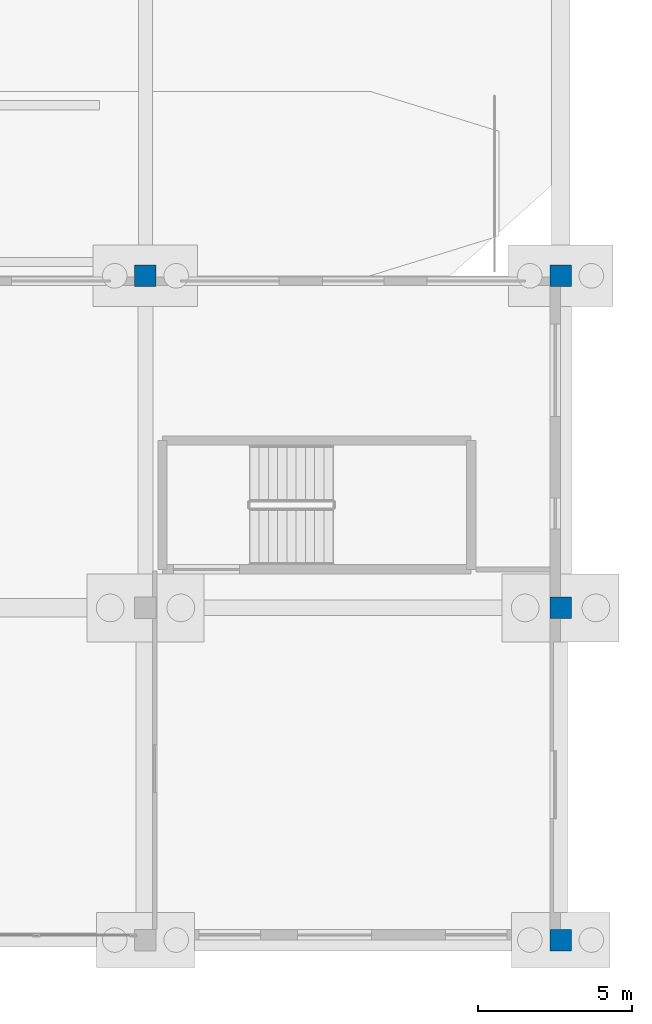
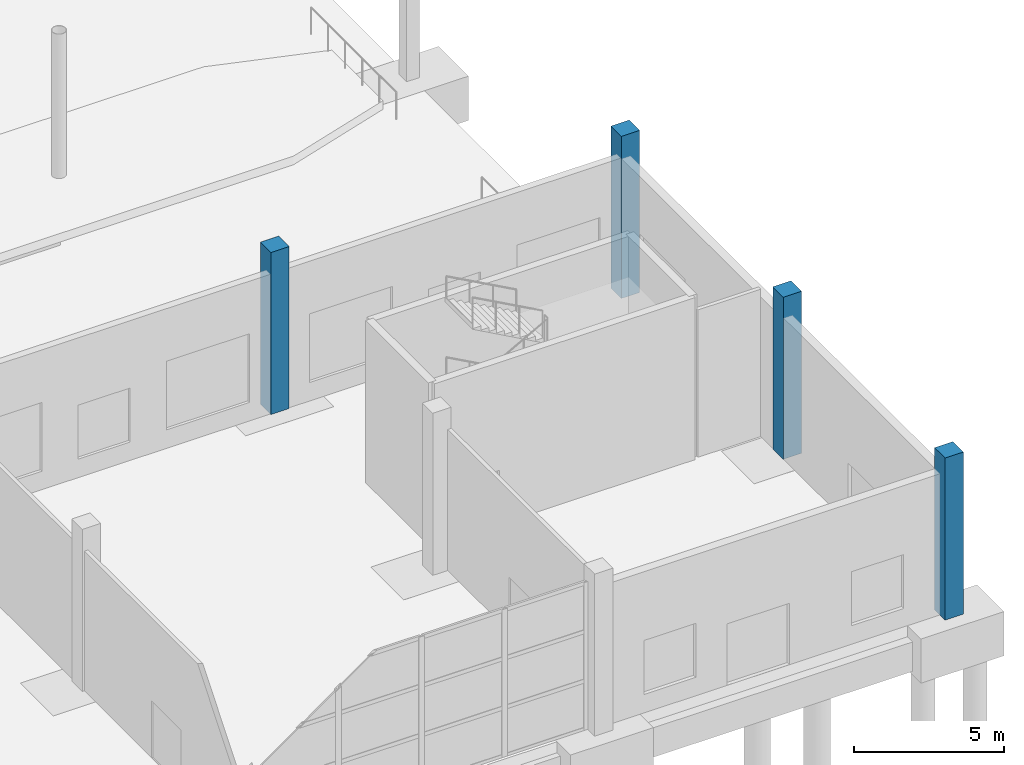
# One storey, part 26 of 115: 4 columns.
"""IFC4 building model written with IfcOpenShell, lengths in metres."""

from ifc_helpers import new_model, si_unit, direction, frame, origin, origin_2d, place, context, subcontext, project, spatial, rectangle, extrude, material, material_profile, profile_set, type_object, element, save


model = new_model("IFC4")

# Units and contexts
model_context = context("Model", 3, precision=1e-05, world=origin(), true_north=direction((0.0, 1.0)))
body_context = subcontext(model_context, "Body", "Model", "MODEL_VIEW")
ifc_project = project(units=[si_unit("LENGTHUNIT", "METRE"), si_unit("AREAUNIT", "SQUARE_METRE"), si_unit("VOLUMEUNIT", "CUBIC_METRE"), si_unit("PLANEANGLEUNIT", "RADIAN"), si_unit("MASSUNIT", "GRAM", prefix="KILO")], contexts=[model_context])

# Site, building, storey
site_placement = place(None, origin())
site = spatial("IfcSite", under=ifc_project, at=site_placement, CompositionType="ELEMENT")
building_placement = place(site_placement, origin())
building = spatial("IfcBuilding", under=site, at=building_placement, Name="Tamarisk Ironworks Central Station", CompositionType="ELEMENT")
storey_placement = place(building_placement, origin())
storey = spatial("IfcBuildingStorey", under=building, at=storey_placement, Name="L00", CompositionType="ELEMENT", Elevation=0.0)

# Columns
ifc_material = material(Name="Concrete C50/60", Category="concrete")
ifc_material_profile = material_profile(ifc_material, rectangle(XDim=0.699951171875, YDim=0.699951171875, at=origin_2d()), Name="RC 700x700")
ifc_profile_set = profile_set([ifc_material_profile], Name="Concrete C50/60")
column_type = type_object("IfcColumnType", Name="COL-RC02", PredefinedType="COLUMN", material=ifc_profile_set)
for number, where, z_axis, x_axis, name in (
    (1, (166.5, 21.60009765625, 0.0), (0.0, 0.0, 1.0), (1.0, 0.0, 0.0), "L00 column V5S-19C"),
    (2, (180.0, 0.0, 0.0), (0.0, 0.0, 1.0), (1.0, 0.0, 0.0), "L00 column V5S-20A"),
    (3, (180.0, 10.800048828125, 0.0), (0.0, 0.0, 1.0), (1.0, 0.0, 0.0), "L00 column V5S-20B"),
    (4, (180.0, 21.60009765625, 0.0), (0.0, 0.0, 1.0), (1.0, 0.0, 0.0), "L00 column V5S-20C"),
):
    element("IfcColumn", number, at=place(storey_placement, frame(where, z_axis=z_axis, x_axis=x_axis)), inside=storey, type_object=column_type, Name=name, PredefinedType="COLUMN", context=body_context, shape_type="SweptSolid", body=[
        extrude(rectangle(XDim=0.699951171875, YDim=0.699951171875, at=origin_2d()), origin(), (0.0, 0.0, 1.0), 6.60009765625),
    ])

save(model, "model.ifc")
